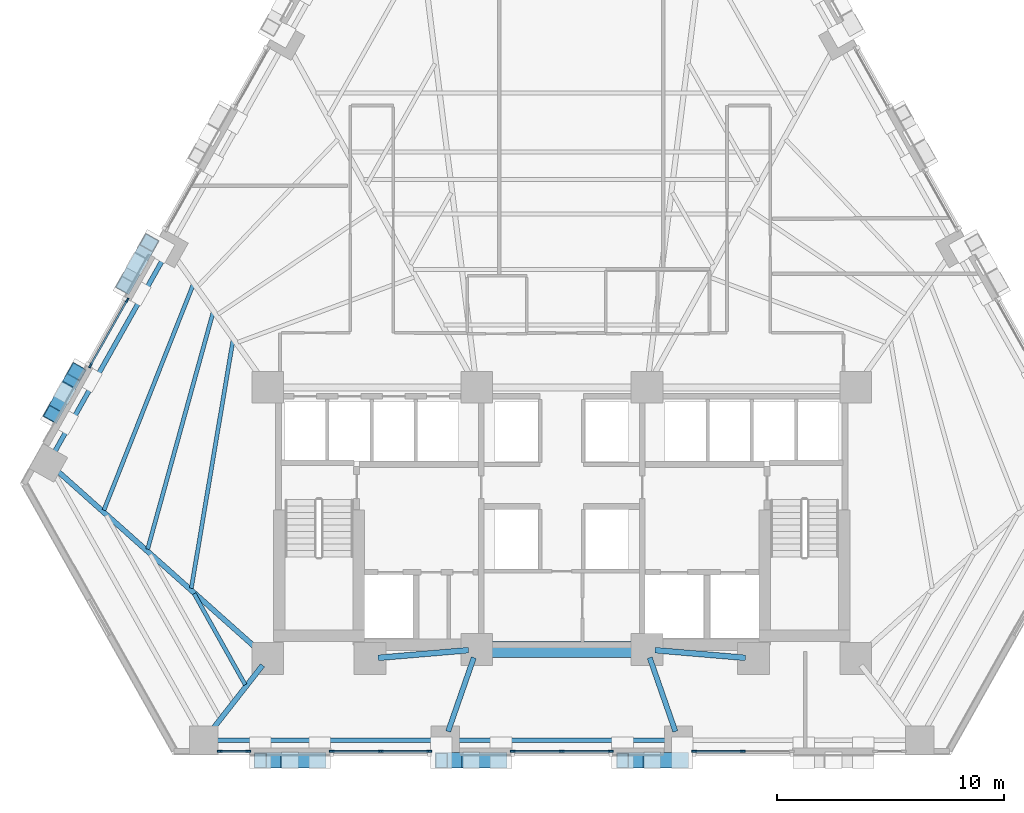
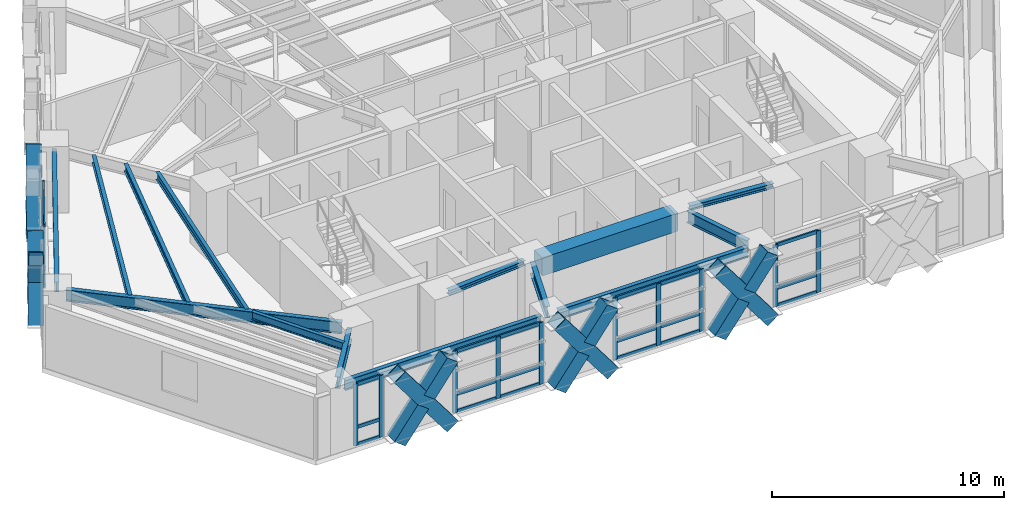
# One storey, part 2 of 13: 46 members, 14 beams, 5 elements without a shape of their own.
"""IFC4 building model written with IfcOpenShell, lengths in metres."""

from ifc_helpers import new_model, si_unit, direction, frame, origin, origin_2d, place, context, subcontext, project, spatial, rectangle, hollow_rectangle, i_section, extrude, material, material_profile, profile_set, type_object, element, aggregate, save


model = new_model("IFC4")

# Units and contexts
model_context = context("Model", 3, precision=1e-05, world=origin(), true_north=direction((0.0, 1.0)))
body_context = subcontext(model_context, "Body", "Model", "MODEL_VIEW")
ifc_project = project(units=[si_unit("LENGTHUNIT", "METRE"), si_unit("AREAUNIT", "SQUARE_METRE"), si_unit("VOLUMEUNIT", "CUBIC_METRE"), si_unit("PLANEANGLEUNIT", "RADIAN"), si_unit("MASSUNIT", "GRAM", prefix="KILO")], contexts=[model_context])

# Site, building, storey
site_placement = place(None, origin())
site = spatial("IfcSite", under=ifc_project, at=site_placement, CompositionType="ELEMENT")
building_placement = place(site_placement, origin())
building = spatial("IfcBuilding", under=site, at=building_placement, Name="Quenlor Broadcast Tower", CompositionType="ELEMENT")
storey_placement = place(building_placement, frame((0.0, 0.0, 62.60009765625)))
storey = spatial("IfcBuildingStorey", under=building, at=storey_placement, Name="L16", CompositionType="ELEMENT", Elevation=62.60009765625)

# Curtain wall, members
ifc_material_1 = material(Name="Architectural Terracotta and Low-E Glazing", Category="masonry")
curtain_wall_type = type_object("IfcCurtainWallType", Name="Unitised Terracotta Curtain Wall System Z1", PredefinedType="NOTDEFINED", material=ifc_material_1)
curtain_wall_1_placement = place(storey_placement, origin())
curtain_wall_1 = element("IfcCurtainWall", 1, at=curtain_wall_1_placement, inside=storey, type_object=curtain_wall_type, Name="L16 Curtain Wall CW1 (L16-SA-G2)", PredefinedType="NOTDEFINED")
ifc_material_2 = material(Name="Aluminium 6063-T6", Category="aluminium")
ifc_material_profile_1 = material_profile(ifc_material_2, rectangle(XDim=0.080078125, YDim=0.219970703125, at=origin_2d()))
ifc_profile_set_1 = profile_set([ifc_material_profile_1], Name="Aluminium 6063-T6 MULL80x220")
member_type_1 = type_object("IfcMemberType", Name="CW1 Aluminium Mullion MULL_CW1", PredefinedType="MULLION", material=ifc_profile_set_1)
member_1_placement = place(storey_placement, frame((7.982666015625, -20.840087890625, 0.0), z_axis=(0.0, 0.0, 1.0), x_axis=(0.0, -1.0, 0.0)))
member_1 = element("IfcMember", 2, at=member_1_placement, type_object=member_type_1, Name="CW1 mullion 2", PredefinedType="MULLION", context=body_context, shape_type="SweptSolid", body=[
    extrude(rectangle(XDim=0.080078125, YDim=0.219970703125, at=origin_2d()), origin(), (0.0, 0.0, 1.0), 3.25),
])
member_2_placement = place(storey_placement, frame((5.830810546875, -20.840087890625, 0.0), z_axis=(0.0, 0.0, 1.0), x_axis=(0.0, -1.0, 0.0)))
member_2 = element("IfcMember", 3, at=member_2_placement, type_object=member_type_1, Name="CW1 mullion 3", PredefinedType="MULLION", context=body_context, shape_type="SweptSolid", body=[
    extrude(rectangle(XDim=0.080078125, YDim=0.219970703125, at=origin_2d()), origin(), (0.0, 0.0, 1.0), 3.25),
])

curtain_wall_2_placement = place(storey_placement, origin())
curtain_wall_2 = element("IfcCurtainWall", 4, at=curtain_wall_2_placement, inside=storey, type_object=curtain_wall_type, Name="L16 Curtain Wall CW1 (L16-SC-G1)", PredefinedType="NOTDEFINED")
member_3_placement = place(storey_placement, frame((-5.830810546875, -20.840087890625, 0.0), z_axis=(0.0, 0.0, 1.0), x_axis=(0.0, -1.0, 0.0)))
member_3 = element("IfcMember", 5, at=member_3_placement, type_object=member_type_1, Name="CW1 mullion 1", PredefinedType="MULLION", context=body_context, shape_type="SweptSolid", body=[
    extrude(rectangle(XDim=0.080078125, YDim=0.219970703125, at=origin_2d()), origin(), (0.0, 0.0, 1.0), 3.25),
])
member_4_placement = place(storey_placement, frame((-7.982666015625, -20.840087890625, 0.0), z_axis=(0.0, 0.0, 1.0), x_axis=(0.0, -1.0, 0.0)))
member_4 = element("IfcMember", 6, at=member_4_placement, type_object=member_type_1, Name="CW1 mullion 2", PredefinedType="MULLION", context=body_context, shape_type="SweptSolid", body=[
    extrude(rectangle(XDim=0.080078125, YDim=0.219970703125, at=origin_2d()), origin(), (0.0, 0.0, 1.0), 3.25),
])
member_5_placement = place(storey_placement, frame((-10.134765625, -20.840087890625, 0.0), z_axis=(0.0, 0.0, 1.0), x_axis=(0.0, -1.0, 0.0)))
member_5 = element("IfcMember", 7, at=member_5_placement, type_object=member_type_1, Name="CW1 mullion 3", PredefinedType="MULLION", context=body_context, shape_type="SweptSolid", body=[
    extrude(rectangle(XDim=0.080078125, YDim=0.219970703125, at=origin_2d()), origin(), (0.0, 0.0, 1.0), 3.25),
])

curtain_wall_3_placement = place(storey_placement, origin())
curtain_wall_3 = element("IfcCurtainWall", 8, at=curtain_wall_3_placement, inside=storey, type_object=curtain_wall_type, Name="L16 Curtain Wall CW1 (L16-SC-G2)", PredefinedType="NOTDEFINED")
member_6_placement = place(storey_placement, frame((-13.806884765625, -20.840087890625, 0.0), z_axis=(0.0, 0.0, 1.0), x_axis=(0.0, -1.0, 0.0)))
member_6 = element("IfcMember", 9, at=member_6_placement, type_object=member_type_1, Name="CW1 mullion 1", PredefinedType="MULLION", context=body_context, shape_type="SweptSolid", body=[
    extrude(rectangle(XDim=0.080078125, YDim=0.219970703125, at=origin_2d()), origin(), (0.0, 0.0, 1.0), 3.25),
])
member_7_placement = place(storey_placement, frame((-15.0751953125, -20.840087890625, 0.0), z_axis=(0.0, 0.0, 1.0), x_axis=(0.0, -1.0, 0.0)))
member_7 = element("IfcMember", 10, at=member_7_placement, type_object=member_type_1, Name="CW1 mullion 2", PredefinedType="MULLION", context=body_context, shape_type="SweptSolid", body=[
    extrude(rectangle(XDim=0.080078125, YDim=0.219970703125, at=origin_2d()), origin(), (0.0, 0.0, 1.0), 3.25),
])

curtain_wall_4_placement = place(storey_placement, origin())
curtain_wall_4 = element("IfcCurtainWall", 11, at=curtain_wall_4_placement, inside=storey, type_object=curtain_wall_type, Name="L16 Curtain Wall CW1 (L16-S-G1)", PredefinedType="NOTDEFINED")
member_8_placement = place(storey_placement, frame((2.154296875, -20.840087890625, 0.0), z_axis=(0.0, 0.0, 1.0), x_axis=(0.0, -1.0, 0.0)))
member_8 = element("IfcMember", 12, at=member_8_placement, type_object=member_type_1, Name="CW1 mullion 1", PredefinedType="MULLION", context=body_context, shape_type="SweptSolid", body=[
    extrude(rectangle(XDim=0.080078125, YDim=0.219970703125, at=origin_2d()), origin(), (0.0, 0.0, 1.0), 3.25),
])
member_9_placement = place(storey_placement, frame((0.0, -20.840087890625, 0.0), z_axis=(0.0, 0.0, 1.0), x_axis=(0.0, -1.0, 0.0)))
member_9 = element("IfcMember", 13, at=member_9_placement, type_object=member_type_1, Name="CW1 mullion 2", PredefinedType="MULLION", context=body_context, shape_type="SweptSolid", body=[
    extrude(rectangle(XDim=0.080078125, YDim=0.219970703125, at=origin_2d()), origin(), (0.0, 0.0, 1.0), 3.25),
])
member_10_placement = place(storey_placement, frame((-2.154296875, -20.840087890625, 0.0), z_axis=(0.0, 0.0, 1.0), x_axis=(0.0, -1.0, 0.0)))
member_10 = element("IfcMember", 14, at=member_10_placement, type_object=member_type_1, Name="CW1 mullion 3", PredefinedType="MULLION", context=body_context, shape_type="SweptSolid", body=[
    extrude(rectangle(XDim=0.080078125, YDim=0.219970703125, at=origin_2d()), origin(), (0.0, 0.0, 1.0), 3.25),
])

curtain_wall_5_placement = place(storey_placement, origin())
curtain_wall_5 = element("IfcCurtainWall", 15, at=curtain_wall_5_placement, inside=storey, type_object=curtain_wall_type, Name="L16 Curtain Wall CW1 (L16-NWA-G1)", PredefinedType="NOTDEFINED")
member_11_placement = place(storey_placement, frame((-20.764892578125, -3.841552734375, 0.0), z_axis=(0.0, 0.0, 1.0), x_axis=(-0.871577906875, 0.49025702672, 0.0)))
member_11 = element("IfcMember", 16, at=member_11_placement, type_object=member_type_1, Name="CW1 mullion 1", PredefinedType="MULLION", context=body_context, shape_type="SweptSolid", body=[
    extrude(rectangle(XDim=0.080078125, YDim=0.219970703125, at=origin_2d()), origin(), (0.0, 0.0, 1.0), 3.25),
])
member_12_placement = place(storey_placement, frame((-19.146484375, -0.964599609375, 0.0), z_axis=(0.0, 0.0, 1.0), x_axis=(-0.871577906875, 0.49025702672, 0.0)))
member_12 = element("IfcMember", 17, at=member_12_placement, type_object=member_type_1, Name="CW1 mullion 2", PredefinedType="MULLION", context=body_context, shape_type="SweptSolid", body=[
    extrude(rectangle(XDim=0.080078125, YDim=0.219970703125, at=origin_2d()), origin(), (0.0, 0.0, 1.0), 3.25),
])

# Member
ifc_material_3 = material(Name="Aluminium 6063-T6", Category="aluminium")
ifc_material_profile_2 = material_profile(ifc_material_3, rectangle(XDim=0.080078125, YDim=0.179931640625, at=origin_2d()))
ifc_profile_set_2 = profile_set([ifc_material_profile_2], Name="Aluminium 6063-T6 TRAN80x180")
member_type_2 = type_object("IfcMemberType", Name="CW1 Aluminium Transom TRAN_CW1", PredefinedType="USERDEFINED", material=ifc_profile_set_2)
member_13_placement = place(storey_placement, frame((7.94287109375, -20.840087890625, 0.039794921875), z_axis=(-1.0, 0.0, 0.0), x_axis=(0.0, -1.0, 0.0)))
member_13 = element("IfcMember", 18, at=member_13_placement, type_object=member_type_2, Name="CW1 transom 2.1", ObjectType="TRANSOM", PredefinedType="USERDEFINED", context=body_context, shape_type="SweptSolid", body=[
    extrude(rectangle(XDim=0.080078125, YDim=0.179931640625, at=origin_2d()), origin(), (0.0, 0.0, 1.0), 2.072021484375),
])

member_14_placement = place(storey_placement, frame((7.94287109375, -20.840087890625, 0.949951171875), z_axis=(-1.0, 0.0, 0.0), x_axis=(0.0, -1.0, 0.0)))
member_14 = element("IfcMember", 19, at=member_14_placement, type_object=member_type_2, Name="CW1 transom 2.2", ObjectType="TRANSOM", PredefinedType="USERDEFINED", context=body_context, shape_type="SweptSolid", body=[
    extrude(rectangle(XDim=0.080078125, YDim=0.179931640625, at=origin_2d()), origin(), (0.0, 0.0, 1.0), 2.072021484375),
])

member_15_placement = place(storey_placement, frame((7.94287109375, -20.840087890625, 3.2099609375), z_axis=(-1.0, 0.0, 0.0), x_axis=(0.0, -1.0, 0.0)))
member_15 = element("IfcMember", 20, at=member_15_placement, type_object=member_type_2, Name="CW1 transom 2.3", ObjectType="TRANSOM", PredefinedType="USERDEFINED", context=body_context, shape_type="SweptSolid", body=[
    extrude(rectangle(XDim=0.080078125, YDim=0.179931640625, at=origin_2d()), origin(), (0.0, 0.0, 1.0), 2.072021484375),
])

aggregate(curtain_wall_1, [member_1, member_2, member_13, member_14, member_15])

member_16_placement = place(storey_placement, frame((-5.870849609375, -20.840087890625, 0.039794921875), z_axis=(-1.0, 0.0, 0.0), x_axis=(0.0, -1.0, 0.0)))
member_16 = element("IfcMember", 21, at=member_16_placement, type_object=member_type_2, Name="CW1 transom 1.1", ObjectType="TRANSOM", PredefinedType="USERDEFINED", context=body_context, shape_type="SweptSolid", body=[
    extrude(rectangle(XDim=0.080078125, YDim=0.179931640625, at=origin_2d()), origin(), (0.0, 0.0, 1.0), 2.072021484375),
])

member_17_placement = place(storey_placement, frame((-5.870849609375, -20.840087890625, 0.949951171875), z_axis=(-1.0, 0.0, 0.0), x_axis=(0.0, -1.0, 0.0)))
member_17 = element("IfcMember", 22, at=member_17_placement, type_object=member_type_2, Name="CW1 transom 1.2", ObjectType="TRANSOM", PredefinedType="USERDEFINED", context=body_context, shape_type="SweptSolid", body=[
    extrude(rectangle(XDim=0.080078125, YDim=0.179931640625, at=origin_2d()), origin(), (0.0, 0.0, 1.0), 2.072021484375),
])

member_18_placement = place(storey_placement, frame((-5.870849609375, -20.840087890625, 3.2099609375), z_axis=(-1.0, 0.0, 0.0), x_axis=(0.0, -1.0, 0.0)))
member_18 = element("IfcMember", 23, at=member_18_placement, type_object=member_type_2, Name="CW1 transom 1.3", ObjectType="TRANSOM", PredefinedType="USERDEFINED", context=body_context, shape_type="SweptSolid", body=[
    extrude(rectangle(XDim=0.080078125, YDim=0.179931640625, at=origin_2d()), origin(), (0.0, 0.0, 1.0), 2.072021484375),
])

member_19_placement = place(storey_placement, frame((-8.022705078125, -20.840087890625, 0.039794921875), z_axis=(-1.0, 0.0, 0.0), x_axis=(0.0, -1.0, 0.0)))
member_19 = element("IfcMember", 24, at=member_19_placement, type_object=member_type_2, Name="CW1 transom 2.1", ObjectType="TRANSOM", PredefinedType="USERDEFINED", context=body_context, shape_type="SweptSolid", body=[
    extrude(rectangle(XDim=0.080078125, YDim=0.179931640625, at=origin_2d()), origin(), (0.0, 0.0, 1.0), 2.072021484375),
])

member_20_placement = place(storey_placement, frame((-8.022705078125, -20.840087890625, 0.949951171875), z_axis=(-1.0, 0.0, 0.0), x_axis=(0.0, -1.0, 0.0)))
member_20 = element("IfcMember", 25, at=member_20_placement, type_object=member_type_2, Name="CW1 transom 2.2", ObjectType="TRANSOM", PredefinedType="USERDEFINED", context=body_context, shape_type="SweptSolid", body=[
    extrude(rectangle(XDim=0.080078125, YDim=0.179931640625, at=origin_2d()), origin(), (0.0, 0.0, 1.0), 2.072021484375),
])

member_21_placement = place(storey_placement, frame((-8.022705078125, -20.840087890625, 3.2099609375), z_axis=(-1.0, 0.0, 0.0), x_axis=(0.0, -1.0, 0.0)))
member_21 = element("IfcMember", 26, at=member_21_placement, type_object=member_type_2, Name="CW1 transom 2.3", ObjectType="TRANSOM", PredefinedType="USERDEFINED", context=body_context, shape_type="SweptSolid", body=[
    extrude(rectangle(XDim=0.080078125, YDim=0.179931640625, at=origin_2d()), origin(), (0.0, 0.0, 1.0), 2.072021484375),
])

aggregate(curtain_wall_2, [member_3, member_4, member_5, member_16, member_17, member_18, member_19, member_20, member_21])

member_22_placement = place(storey_placement, frame((-13.8466796875, -20.840087890625, 0.039794921875), z_axis=(-1.0, 0.0, 0.0), x_axis=(0.0, -1.0, 0.0)))
member_22 = element("IfcMember", 27, at=member_22_placement, type_object=member_type_2, Name="CW1 transom 1.1", ObjectType="TRANSOM", PredefinedType="USERDEFINED", context=body_context, shape_type="SweptSolid", body=[
    extrude(rectangle(XDim=0.080078125, YDim=0.179931640625, at=origin_2d()), origin(), (0.0, 0.0, 1.0), 1.1884765625),
])

member_23_placement = place(storey_placement, frame((-13.8466796875, -20.840087890625, 0.949951171875), z_axis=(-1.0, 0.0, 0.0), x_axis=(0.0, -1.0, 0.0)))
member_23 = element("IfcMember", 28, at=member_23_placement, type_object=member_type_2, Name="CW1 transom 1.2", ObjectType="TRANSOM", PredefinedType="USERDEFINED", context=body_context, shape_type="SweptSolid", body=[
    extrude(rectangle(XDim=0.080078125, YDim=0.179931640625, at=origin_2d()), origin(), (0.0, 0.0, 1.0), 1.1884765625),
])

member_24_placement = place(storey_placement, frame((-13.8466796875, -20.840087890625, 3.2099609375), z_axis=(-1.0, 0.0, 0.0), x_axis=(0.0, -1.0, 0.0)))
member_24 = element("IfcMember", 29, at=member_24_placement, type_object=member_type_2, Name="CW1 transom 1.3", ObjectType="TRANSOM", PredefinedType="USERDEFINED", context=body_context, shape_type="SweptSolid", body=[
    extrude(rectangle(XDim=0.080078125, YDim=0.179931640625, at=origin_2d()), origin(), (0.0, 0.0, 1.0), 1.1884765625),
])

aggregate(curtain_wall_3, [member_6, member_7, member_22, member_23, member_24])

member_25_placement = place(storey_placement, frame((2.1142578125, -20.840087890625, 0.039794921875), z_axis=(-1.0, 0.0, 0.0), x_axis=(0.0, -1.0, 0.0)))
member_25 = element("IfcMember", 30, at=member_25_placement, type_object=member_type_2, Name="CW1 transom 1.1", ObjectType="TRANSOM", PredefinedType="USERDEFINED", context=body_context, shape_type="SweptSolid", body=[
    extrude(rectangle(XDim=0.080078125, YDim=0.179931640625, at=origin_2d()), origin(), (0.0, 0.0, 1.0), 2.07421875),
])

member_26_placement = place(storey_placement, frame((2.1142578125, -20.840087890625, 0.949951171875), z_axis=(-1.0, 0.0, 0.0), x_axis=(0.0, -1.0, 0.0)))
member_26 = element("IfcMember", 31, at=member_26_placement, type_object=member_type_2, Name="CW1 transom 1.2", ObjectType="TRANSOM", PredefinedType="USERDEFINED", context=body_context, shape_type="SweptSolid", body=[
    extrude(rectangle(XDim=0.080078125, YDim=0.179931640625, at=origin_2d()), origin(), (0.0, 0.0, 1.0), 2.07421875),
])

member_27_placement = place(storey_placement, frame((2.1142578125, -20.840087890625, 3.2099609375), z_axis=(-1.0, 0.0, 0.0), x_axis=(0.0, -1.0, 0.0)))
member_27 = element("IfcMember", 32, at=member_27_placement, type_object=member_type_2, Name="CW1 transom 1.3", ObjectType="TRANSOM", PredefinedType="USERDEFINED", context=body_context, shape_type="SweptSolid", body=[
    extrude(rectangle(XDim=0.080078125, YDim=0.179931640625, at=origin_2d()), origin(), (0.0, 0.0, 1.0), 2.07421875),
])

member_28_placement = place(storey_placement, frame((-0.0400390625, -20.840087890625, 0.039794921875), z_axis=(-1.0, 0.0, 0.0), x_axis=(0.0, -1.0, 0.0)))
member_28 = element("IfcMember", 33, at=member_28_placement, type_object=member_type_2, Name="CW1 transom 2.1", ObjectType="TRANSOM", PredefinedType="USERDEFINED", context=body_context, shape_type="SweptSolid", body=[
    extrude(rectangle(XDim=0.080078125, YDim=0.179931640625, at=origin_2d()), origin(), (0.0, 0.0, 1.0), 2.07421875),
])

member_29_placement = place(storey_placement, frame((-0.0400390625, -20.840087890625, 0.949951171875), z_axis=(-1.0, 0.0, 0.0), x_axis=(0.0, -1.0, 0.0)))
member_29 = element("IfcMember", 34, at=member_29_placement, type_object=member_type_2, Name="CW1 transom 2.2", ObjectType="TRANSOM", PredefinedType="USERDEFINED", context=body_context, shape_type="SweptSolid", body=[
    extrude(rectangle(XDim=0.080078125, YDim=0.179931640625, at=origin_2d()), origin(), (0.0, 0.0, 1.0), 2.07421875),
])

member_30_placement = place(storey_placement, frame((-0.0400390625, -20.840087890625, 3.2099609375), z_axis=(-1.0, 0.0, 0.0), x_axis=(0.0, -1.0, 0.0)))
member_30 = element("IfcMember", 35, at=member_30_placement, type_object=member_type_2, Name="CW1 transom 2.3", ObjectType="TRANSOM", PredefinedType="USERDEFINED", context=body_context, shape_type="SweptSolid", body=[
    extrude(rectangle(XDim=0.080078125, YDim=0.179931640625, at=origin_2d()), origin(), (0.0, 0.0, 1.0), 2.07421875),
])

aggregate(curtain_wall_4, [member_8, member_9, member_10, member_25, member_26, member_27, member_28, member_29, member_30])

member_31_placement = place(storey_placement, frame((-20.7451171875, -3.806884765625, 0.039794921875), z_axis=(0.490250443683, 0.871581609758, 0.0), x_axis=(-0.871581609758, 0.490250443683, 0.0)))
member_31 = element("IfcMember", 36, at=member_31_placement, type_object=member_type_2, Name="CW1 transom 1.1", ObjectType="TRANSOM", PredefinedType="USERDEFINED", context=body_context, shape_type="SweptSolid", body=[
    extrude(rectangle(XDim=0.080078125, YDim=0.179931640625, at=origin_2d()), origin(), (0.0, 0.0, 1.0), 3.220947265625),
])

member_32_placement = place(storey_placement, frame((-20.7451171875, -3.806884765625, 0.949951171875), z_axis=(0.490250443683, 0.871581609758, 0.0), x_axis=(-0.871581609758, 0.490250443683, 0.0)))
member_32 = element("IfcMember", 37, at=member_32_placement, type_object=member_type_2, Name="CW1 transom 1.2", ObjectType="TRANSOM", PredefinedType="USERDEFINED", context=body_context, shape_type="SweptSolid", body=[
    extrude(rectangle(XDim=0.080078125, YDim=0.179931640625, at=origin_2d()), origin(), (0.0, 0.0, 1.0), 3.220947265625),
])

member_33_placement = place(storey_placement, frame((-20.7451171875, -3.806884765625, 3.2099609375), z_axis=(0.490250443683, 0.871581609758, 0.0), x_axis=(-0.871581609758, 0.490250443683, 0.0)))
member_33 = element("IfcMember", 38, at=member_33_placement, type_object=member_type_2, Name="CW1 transom 1.3", ObjectType="TRANSOM", PredefinedType="USERDEFINED", context=body_context, shape_type="SweptSolid", body=[
    extrude(rectangle(XDim=0.080078125, YDim=0.179931640625, at=origin_2d()), origin(), (0.0, 0.0, 1.0), 3.220947265625),
])

aggregate(curtain_wall_5, [member_11, member_12, member_31, member_32, member_33])

# Beams
ifc_material_4 = material(Name="Concrete C50/60", Category="concrete")
ifc_material_profile_3 = material_profile(ifc_material_4, rectangle(XDim=0.699951171875, YDim=0.949951171875, at=origin_2d()))
ifc_profile_set_3 = profile_set([ifc_material_profile_3], Name="Concrete C50/60 RCB700x950")
beam_type_1 = type_object("IfcBeamType", Name="Core Coupling Beam Concrete C50/60 700x950", PredefinedType="BEAM", material=ifc_profile_set_3)
beam_1_placement = place(storey_placement, frame((-3.389892578125, -16.35009765625, 2.77490234375), z_axis=(1.0, 0.0, 0.0), x_axis=(0.0, 1.0, 0.0)))
element("IfcBeam", 39, at=beam_1_placement, inside=storey, type_object=beam_type_1, Name="L16 Core Coupling Beam 6", PredefinedType="BEAM", context=body_context, shape_type="SweptSolid", body=[
    extrude(rectangle(XDim=0.699951171875, YDim=0.949951171875, at=origin_2d()), origin(), (0.0, 0.0, 1.0), 6.77978515625),
])
ifc_material_5 = material(Name="Steel S355", Category="steel")
ifc_material_profile_4 = material_profile(ifc_material_5, i_section(OverallWidth=0.25390625, OverallDepth=0.25390625, WebThickness=0.008544921875, FlangeThickness=0.01416015625, FilletRadius=0.013916015625, at=origin_2d()))
ifc_profile_set_4 = profile_set([ifc_material_profile_4], Name="Steel S355 250UC72.9")
beam_type_2 = type_object("IfcBeamType", Name="Core Opening Lintel Beam Steel S355 250UC72.9", PredefinedType="LINTEL", material=ifc_profile_set_4)
for number, where, z_axis, x_axis, name in (
    (40, (-8.09130859375, -16.719482421875, 3.123046875), (0.996399763903, 0.084779186679, 0.0), (-0.084779186679, 0.996399763903, 0.0), "L16 Core Opening Lintel Beam 4"),
    (41, (4.108642578125, -16.380615234375, 3.123046875), (0.996399763903, -0.084779186679, 0.0), (0.084779186679, 0.996399763903, 0.0), "L16 Core Opening Lintel Beam 5"),
):
    element("IfcBeam", number, at=place(storey_placement, frame(where, z_axis=z_axis, x_axis=x_axis)), inside=storey, type_object=beam_type_2, Name=name, PredefinedType="LINTEL", context=body_context, shape_type="SweptSolid", body=[
        extrude(i_section(OverallWidth=0.25390625, OverallDepth=0.25390625, WebThickness=0.008544921875, FlangeThickness=0.01416015625, FilletRadius=0.013916015625, at=origin_2d()), origin(), (0.0, 0.0, 1.0), 3.9970703125),
    ])

# Members
ifc_material_6 = material(Name="Steel S355", Category="steel")
ifc_material_profile_5 = material_profile(ifc_material_6, hollow_rectangle(XDim=0.679931640625, YDim=0.679931640625, WallThickness=0.034912109375, at=origin_2d()))
ifc_profile_set_5 = profile_set([ifc_material_profile_5], Name="Steel S355 RHS680x680x35")
member_type_3 = type_object("IfcMemberType", Name="Perimeter Diagonal Lattice Brace Z1 Steel S355 RHS680x35", PredefinedType="BRACE", material=ifc_profile_set_5)
member_34_placement = place(storey_placement, frame((5.304443359375, -21.235107421875, -0.1201171875), z_axis=(-0.60049964856, 0.0, 0.799625019668), x_axis=(0.0, -1.0, 0.0)))
element("IfcMember", 42, at=member_34_placement, inside=storey, type_object=member_type_3, Name="L16 Perimeter Diamond Lattice S-C2XA", PredefinedType="BRACE", context=body_context, shape_type="SweptSolid", body=[
    extrude(hollow_rectangle(XDim=0.679931640625, YDim=0.679931640625, WallThickness=0.034912109375, at=origin_2d()), origin(), (0.0, 0.0, 1.0), 4.376953125),
])
for number, where, z_axis, x_axis, name in (
    (43, (2.676025390625, -21.235107421875, -0.1201171875), (0.600503659272, 0.0, 0.799622007701), (0.0, 1.0, 0.0), "L16 Perimeter Diamond Lattice S-C2XB1"),
    (44, (4.140380859375, -21.235107421875, 1.829833984375), (0.600503659272, 0.0, 0.799622007701), (0.0, 1.0, 0.0), "L16 Perimeter Diamond Lattice S-C2XB2"),
):
    element("IfcMember", number, at=place(storey_placement, frame(where, z_axis=z_axis, x_axis=x_axis)), inside=storey, type_object=member_type_3, Name=name, PredefinedType="BRACE", context=body_context, shape_type="SweptSolid", body=[
        extrude(hollow_rectangle(XDim=0.679931640625, YDim=0.679931640625, WallThickness=0.034912109375, at=origin_2d()), origin(), (0.0, 0.0, 1.0), 1.9384765625),
    ])
member_35_placement = place(storey_placement, frame((-2.676025390625, -21.235107421875, -0.1201171875), z_axis=(-0.60049964856, 0.0, 0.799625019668), x_axis=(0.0, -1.0, 0.0)))
element("IfcMember", 45, at=member_35_placement, inside=storey, type_object=member_type_3, Name="L16 Perimeter Diamond Lattice S-C3XA", PredefinedType="BRACE", context=body_context, shape_type="SweptSolid", body=[
    extrude(hollow_rectangle(XDim=0.679931640625, YDim=0.679931640625, WallThickness=0.034912109375, at=origin_2d()), origin(), (0.0, 0.0, 1.0), 4.376953125),
])
for number, where, z_axis, x_axis, name in (
    (46, (-5.304443359375, -21.235107421875, -0.1201171875), (0.600503659272, 0.0, 0.799622007701), (0.0, 1.0, 0.0), "L16 Perimeter Diamond Lattice S-C3XB1"),
    (47, (-3.840087890625, -21.235107421875, 1.829833984375), (0.600503659272, 0.0, 0.799622007701), (0.0, 1.0, 0.0), "L16 Perimeter Diamond Lattice S-C3XB2"),
):
    element("IfcMember", number, at=place(storey_placement, frame(where, z_axis=z_axis, x_axis=x_axis)), inside=storey, type_object=member_type_3, Name=name, PredefinedType="BRACE", context=body_context, shape_type="SweptSolid", body=[
        extrude(hollow_rectangle(XDim=0.679931640625, YDim=0.679931640625, WallThickness=0.034912109375, at=origin_2d()), origin(), (0.0, 0.0, 1.0), 1.9384765625),
    ])
member_36_placement = place(storey_placement, frame((-10.656494140625, -21.235107421875, -0.1201171875), z_axis=(-0.60049964856, 0.0, 0.799625019668), x_axis=(0.0, -1.0, 0.0)))
element("IfcMember", 48, at=member_36_placement, inside=storey, type_object=member_type_3, Name="L16 Perimeter Diamond Lattice S-C4XA", PredefinedType="BRACE", context=body_context, shape_type="SweptSolid", body=[
    extrude(hollow_rectangle(XDim=0.679931640625, YDim=0.679931640625, WallThickness=0.034912109375, at=origin_2d()), origin(), (0.0, 0.0, 1.0), 4.376953125),
])
for number, where, z_axis, x_axis, name in (
    (49, (-13.284912109375, -21.235107421875, -0.1201171875), (0.600503659272, 0.0, 0.799622007701), (0.0, 1.0, 0.0), "L16 Perimeter Diamond Lattice S-C4XB1"),
    (50, (-11.820556640625, -21.235107421875, 1.829833984375), (0.600503659272, 0.0, 0.799622007701), (0.0, 1.0, 0.0), "L16 Perimeter Diamond Lattice S-C4XB2"),
):
    element("IfcMember", number, at=place(storey_placement, frame(where, z_axis=z_axis, x_axis=x_axis)), inside=storey, type_object=member_type_3, Name=name, PredefinedType="BRACE", context=body_context, shape_type="SweptSolid", body=[
        extrude(hollow_rectangle(XDim=0.679931640625, YDim=0.679931640625, WallThickness=0.034912109375, at=origin_2d()), origin(), (0.0, 0.0, 1.0), 1.9384765625),
    ])
member_37_placement = place(storey_placement, frame((-22.4248046875, -5.98681640625, -0.1201171875), z_axis=(0.256430888508, 0.455784649039, 0.8523517778), x_axis=(-0.871533027316, 0.490336804959, 0.0)))
element("IfcMember", 51, at=member_37_placement, inside=storey, type_object=member_type_3, Name="L16 Perimeter Diamond Lattice NW-C1XA", PredefinedType="BRACE", context=body_context, shape_type="SweptSolid", body=[
    extrude(hollow_rectangle(XDim=0.679931640625, YDim=0.679931640625, WallThickness=0.034912109375, at=origin_2d()), origin(), (0.0, 0.0, 1.0), 4.106201171875),
])
for number, where, z_axis, x_axis, name in (
    (52, (-21.371826171875, -4.115234375, -0.1201171875), (-0.256451721554, -0.455763724789, 0.852356698618), (0.871506382136, -0.490384161547, 0.0), "L16 Perimeter Diamond Lattice NW-C1XB1"),
    (53, (-21.96240234375, -5.1650390625, 1.843017578125), (-0.256451721554, -0.455763724789, 0.852356698618), (0.871506382136, -0.490384161547, 0.0), "L16 Perimeter Diamond Lattice NW-C1XB2"),
):
    element("IfcMember", number, at=place(storey_placement, frame(where, z_axis=z_axis, x_axis=x_axis)), inside=storey, type_object=member_type_3, Name=name, PredefinedType="BRACE", context=body_context, shape_type="SweptSolid", body=[
        extrude(hollow_rectangle(XDim=0.679931640625, YDim=0.679931640625, WallThickness=0.034912109375, at=origin_2d()), origin(), (0.0, 0.0, 1.0), 1.802978515625),
    ])
member_38_placement = place(storey_placement, frame((-19.22802734375, -0.3037109375, -0.1201171875), z_axis=(0.256430888508, 0.455784649039, 0.8523517778), x_axis=(-0.871533027316, 0.490336804959, 0.0)))
element("IfcMember", 54, at=member_38_placement, inside=storey, type_object=member_type_3, Name="L16 Perimeter Diamond Lattice NW-C2XA", PredefinedType="BRACE", context=body_context, shape_type="SweptSolid", body=[
    extrude(hollow_rectangle(XDim=0.679931640625, YDim=0.679931640625, WallThickness=0.034912109375, at=origin_2d()), origin(), (0.0, 0.0, 1.0), 4.106201171875),
])

# Beams
ifc_material_7 = material(Name="Steel S355", Category="steel")
ifc_material_profile_6 = material_profile(ifc_material_7, i_section(OverallWidth=0.208984375, OverallDepth=0.532958984375, WebThickness=0.01025390625, FlangeThickness=0.015625, FilletRadius=0.013916015625, at=origin_2d()))
ifc_profile_set_6 = profile_set([ifc_material_profile_6], Name="Steel S355 530UB92.4")
beam_type_3 = type_object("IfcBeamType", Name="Perimeter Spandrel Beam Z1 Steel S355 530UB92.4", PredefinedType="SPANDREL", material=ifc_profile_set_6)
beam_2_placement = place(storey_placement, frame((-15.35498046875, -20.35009765625, 2.9833984375), z_axis=(1.0, 0.0, 0.0), x_axis=(0.0, 1.0, 0.0)))
element("IfcBeam", 55, at=beam_2_placement, inside=storey, type_object=beam_type_3, Name="L16 Spandrel Beam S1-S2", PredefinedType="SPANDREL", context=body_context, shape_type="SweptSolid", body=[
    extrude(i_section(OverallWidth=0.208984375, OverallDepth=0.532958984375, WebThickness=0.01025390625, FlangeThickness=0.015625, FilletRadius=0.013916015625, at=origin_2d()), origin(), (0.0, 0.0, 1.0), 9.80419921875),
])
beam_3_placement = place(storey_placement, frame((-4.730712890625, -20.35009765625, 2.9833984375), z_axis=(1.0, 0.0, 0.0), x_axis=(0.0, 1.0, 0.0)))
element("IfcBeam", 56, at=beam_3_placement, inside=storey, type_object=beam_type_3, Name="L16 Spandrel Beam S2-S3", PredefinedType="SPANDREL", context=body_context, shape_type="SweptSolid", body=[
    extrude(i_section(OverallWidth=0.208984375, OverallDepth=0.532958984375, WebThickness=0.01025390625, FlangeThickness=0.015625, FilletRadius=0.013916015625, at=origin_2d()), origin(), (0.0, 0.0, 1.0), 9.46142578125),
])
beam_4_placement = place(storey_placement, frame((-17.5048828125, 0.954345703125, 2.9833984375), z_axis=(-0.490257767622, -0.871577490121, 0.0), x_axis=(0.871577490121, -0.490257767622, 0.0)))
element("IfcBeam", 57, at=beam_4_placement, inside=storey, type_object=beam_type_3, Name="L16 Spandrel Beam NW3-NW4", PredefinedType="SPANDREL", context=body_context, shape_type="SweptSolid", body=[
    extrude(i_section(OverallWidth=0.208984375, OverallDepth=0.532958984375, WebThickness=0.01025390625, FlangeThickness=0.015625, FilletRadius=0.013916015625, at=origin_2d()), origin(), (0.0, 0.0, 1.0), 10.015380859375),
])
ifc_material_8 = material(Name="Steel S355", Category="steel")
ifc_material_profile_7 = material_profile(ifc_material_8, i_section(OverallWidth=0.177978515625, OverallDepth=0.406494140625, WebThickness=0.0078125, FlangeThickness=0.0126953125, FilletRadius=0.011474609375, at=origin_2d()))
ifc_profile_set_7 = profile_set([ifc_material_profile_7], Name="Steel S355 410UB59.7")
beam_type_4 = type_object("IfcBeamType", Name="Tower Composite Joist Z1 Steel S355 410UB59.7", PredefinedType="JOIST", material=ifc_profile_set_7)
beam_5_placement = place(storey_placement, frame((-16.31982421875, -13.65478515625, 3.046630859375), z_axis=(0.16559360599, 0.986194077074, 0.0), x_axis=(-0.986194077074, 0.16559360599, 0.0)))
element("IfcBeam", 58, at=beam_5_placement, inside=storey, type_object=beam_type_4, Name="L16 Secondary Composite Joist 13", PredefinedType="JOIST", context=body_context, shape_type="SweptSolid", body=[
    extrude(i_section(OverallWidth=0.177978515625, OverallDepth=0.406494140625, WebThickness=0.0078125, FlangeThickness=0.0126953125, FilletRadius=0.011474609375, at=origin_2d()), origin(), (0.0, 0.0, 1.0), 11.06787109375),
])
beam_6_placement = place(storey_placement, frame((-18.2451171875, -11.93310546875, 3.046630859375), z_axis=(0.266390054368, 0.963865311615, 0.0), x_axis=(-0.963865311615, 0.266390054368, 0.0)))
element("IfcBeam", 59, at=beam_6_placement, inside=storey, type_object=beam_type_4, Name="L16 Secondary Composite Joist 14", PredefinedType="JOIST", context=body_context, shape_type="SweptSolid", body=[
    extrude(i_section(OverallWidth=0.177978515625, OverallDepth=0.406494140625, WebThickness=0.0078125, FlangeThickness=0.0126953125, FilletRadius=0.011474609375, at=origin_2d()), origin(), (0.0, 0.0, 1.0), 10.80810546875),
])
beam_7_placement = place(storey_placement, frame((-20.170166015625, -10.212158203125, 3.046630859375), z_axis=(0.367884833597, 0.929871361646, 0.0), x_axis=(-0.929871361646, 0.367884833597, 0.0)))
element("IfcBeam", 60, at=beam_7_placement, inside=storey, type_object=beam_type_4, Name="L16 Secondary Composite Joist 15", PredefinedType="JOIST", context=body_context, shape_type="SweptSolid", body=[
    extrude(i_section(OverallWidth=0.177978515625, OverallDepth=0.406494140625, WebThickness=0.0078125, FlangeThickness=0.0126953125, FilletRadius=0.011474609375, at=origin_2d()), origin(), (0.0, 0.0, 1.0), 10.669921875),
])
beam_8_placement = place(storey_placement, frame((-13.9462890625, -17.904296875, 3.046630859375), z_axis=(-0.489062021968, 0.872249011848, 0.0), x_axis=(-0.872249011848, -0.489062021968, 0.0)))
element("IfcBeam", 61, at=beam_8_placement, inside=storey, type_object=beam_type_4, Name="L16 Secondary Composite Joist 19", PredefinedType="JOIST", context=body_context, shape_type="SweptSolid", body=[
    extrude(i_section(OverallWidth=0.177978515625, OverallDepth=0.406494140625, WebThickness=0.0078125, FlangeThickness=0.0126953125, FilletRadius=0.011474609375, at=origin_2d()), origin(), (0.0, 0.0, 1.0), 4.6025390625),
])
ifc_material_9 = material(Name="Steel S355", Category="steel")
ifc_material_profile_8 = material_profile(ifc_material_9, i_section(OverallWidth=0.22900390625, OverallDepth=0.611572265625, WebThickness=0.011962890625, FlangeThickness=0.01953125, FilletRadius=0.013916015625, at=origin_2d()))
ifc_profile_set_8 = profile_set([ifc_material_profile_8], Name="Steel S355 610UB125")
beam_type_5 = type_object("IfcBeamType", Name="Tower Primary Floor Beam Z1 Steel S355 610UB125", PredefinedType="BEAM", material=ifc_profile_set_8)
beam_9_placement = place(storey_placement, frame((-15.512451171875, -20.027099609375, 2.944091796875), z_axis=(0.615968610193, 0.78777069713, 0.0), x_axis=(-0.78777069713, 0.615968610193, 0.0)))
element("IfcBeam", 62, at=beam_9_placement, inside=storey, type_object=beam_type_5, Name="L16 Primary Radial Beam S1", PredefinedType="BEAM", context=body_context, shape_type="SweptSolid", body=[
    extrude(i_section(OverallWidth=0.22900390625, OverallDepth=0.611572265625, WebThickness=0.011962890625, FlangeThickness=0.01953125, FilletRadius=0.013916015625, at=origin_2d()), origin(), (0.0, 0.0, 1.0), 3.780029296875),
])
for number, where, z_axis, x_axis, name in (
    (63, (-5.006103515625, -19.962646484375, 2.944091796875), (0.328427161327, 0.944529300606, 0.0), (-0.944529300606, 0.328427161327, 0.0), "L16 Primary Radial Beam S2"),
    (64, (5.006103515625, -19.962646484375, 2.944091796875), (-0.328427161327, 0.944529300606, 0.0), (-0.944529300606, -0.328427161327, 0.0), "L16 Primary Radial Beam S3"),
):
    element("IfcBeam", number, at=place(storey_placement, frame(where, z_axis=z_axis, x_axis=x_axis)), inside=storey, type_object=beam_type_5, Name=name, PredefinedType="BEAM", context=body_context, shape_type="SweptSolid", body=[
        extrude(i_section(OverallWidth=0.22900390625, OverallDepth=0.611572265625, WebThickness=0.011962890625, FlangeThickness=0.01953125, FilletRadius=0.013916015625, at=origin_2d()), origin(), (0.0, 0.0, 1.0), 3.44482421875),
    ])
beam_10_placement = place(storey_placement, frame((-22.31005859375, -8.40478515625, 2.944091796875), z_axis=(0.746413754585, -0.665482161268, 0.0), x_axis=(0.665482161268, 0.746413754585, 0.0)))
element("IfcBeam", 65, at=beam_10_placement, inside=storey, type_object=beam_type_5, Name="L16 Primary Radial Beam NW4", PredefinedType="BEAM", context=body_context, shape_type="SweptSolid", body=[
    extrude(i_section(OverallWidth=0.22900390625, OverallDepth=0.611572265625, WebThickness=0.011962890625, FlangeThickness=0.01953125, FilletRadius=0.013916015625, at=origin_2d()), origin(), (0.0, 0.0, 1.0), 12.159912109375),
])

save(model, "model.ifc")
